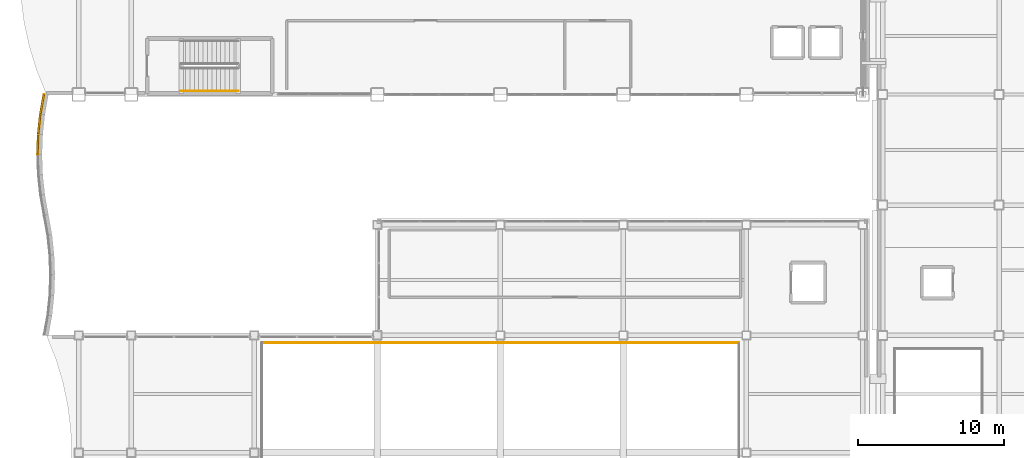
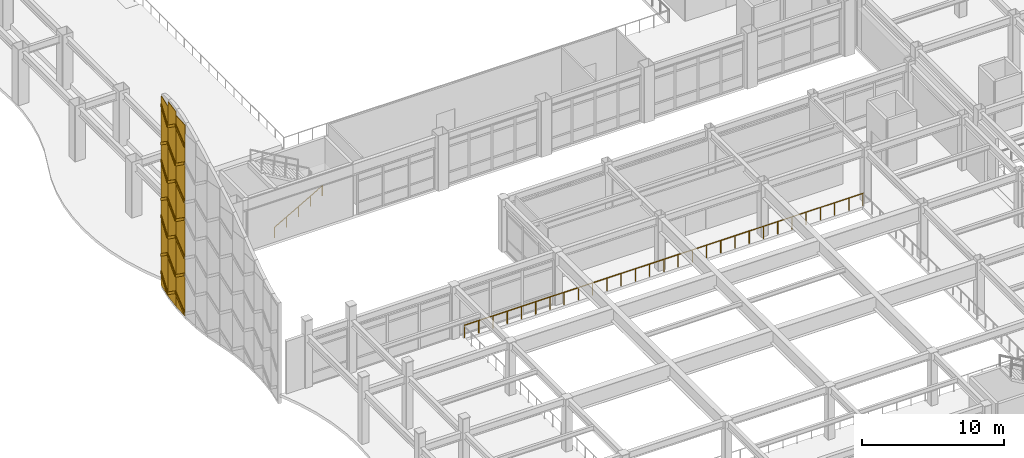
# One storey, part 157 of 172: 24 coverings, 2 railings.
"""IFC4 building model written with IfcOpenShell, lengths in metres."""

from ifc_helpers import new_model, si_unit, direction, frame, origin, origin_2d, place, context, subcontext, project, spatial, polyline, rectangle, circle, outline, extrude, material, layer, layer_set, type_object, element, save


model = new_model("IFC4")

# Units and contexts
model_context = context("Model", 3, precision=1e-05, world=origin(), true_north=direction((0.0, 1.0)))
body_context = subcontext(model_context, "Body", "Model", "MODEL_VIEW")
ifc_project = project(units=[si_unit("LENGTHUNIT", "METRE"), si_unit("AREAUNIT", "SQUARE_METRE"), si_unit("VOLUMEUNIT", "CUBIC_METRE"), si_unit("PLANEANGLEUNIT", "RADIAN"), si_unit("MASSUNIT", "GRAM", prefix="KILO")], contexts=[model_context])

# Site, building, storey
site_placement = place(None, origin())
site = spatial("IfcSite", under=ifc_project, at=site_placement, CompositionType="ELEMENT")
building_placement = place(site_placement, origin())
building = spatial("IfcBuilding", under=site, at=building_placement, Name="Kazehara Bluff Congress Hotel", CompositionType="ELEMENT")
storey_placement = place(building_placement, frame((0.0, 0.0, 5.39990234375)))
storey = spatial("IfcBuildingStorey", under=building, at=storey_placement, Name="L01", CompositionType="ELEMENT", Elevation=5.39990234375)

# Coverings
ifc_material_1 = material(Name="Basalt stone-grey chevron ceramic tile", Category="masonry")
ifc_layer_1 = layer(ifc_material_1, 0.1201171875)
ifc_layer_set_1 = layer_set([ifc_layer_1], Name="Basalt stone-grey chevron ceramic tile")
covering_type_1 = type_object("IfcCoveringType", Name="TP-CHV-RIB", PredefinedType="CLADDING", material=ifc_layer_set_1)
covering_1_placement = place(storey_placement, frame((1.985107421875, 44.344970703125, -0.39990234375), z_axis=(0.0, 0.0, 1.0), x_axis=(0.036326684517, 0.999339968175, 0.0)))
element("IfcCovering", 1, at=covering_1_placement, inside=storey, type_object=covering_type_1, Name="Chevron stone-grey tile rib WR-BRG-10-1", PredefinedType="CLADDING", context=body_context, shape_type="SweptSolid", body=[
    extrude(outline(polyline([(0.0400390625, 0.0), (1.330078125, 0.929931640625), (1.330078125, 1.169921875), (0.0400390625, 0.239990234375), (0.0400390625, 0.0)])), frame((0.0, 0.06005859375, 0.0), z_axis=(0.0, -1.0, 0.0), x_axis=(1.0, 0.0, 0.0)), (0.0, 0.0, 1.0), 0.1201171875),
])
covering_2_placement = place(storey_placement, frame((1.985107421875, 44.344970703125, 2.0), z_axis=(0.0, 0.0, 1.0), x_axis=(0.036326684517, 0.999339968175, 0.0)))
element("IfcCovering", 2, at=covering_2_placement, inside=storey, type_object=covering_type_1, Name="Chevron stone-grey tile rib WR-BRG-10-2", PredefinedType="CLADDING", context=body_context, shape_type="SweptSolid", body=[
    extrude(outline(polyline([(0.0400390625, 0.93017578125), (1.330078125, 0.0), (1.330078125, 0.239990234375), (0.0400390625, 1.170166015625), (0.0400390625, 0.93017578125)])), frame((0.0, 0.06005859375, 0.0), z_axis=(0.0, -1.0, 0.0), x_axis=(1.0, 0.0, 0.0)), (0.0, 0.0, 1.0), 0.1201171875),
])
covering_3_placement = place(storey_placement, frame((1.985107421875, 44.344970703125, 4.400146484375), z_axis=(0.0, 0.0, 1.0), x_axis=(0.036326684517, 0.999339968175, 0.0)))
element("IfcCovering", 3, at=covering_3_placement, inside=storey, type_object=covering_type_1, Name="Chevron stone-grey tile rib WR-BRG-10-3", PredefinedType="CLADDING", context=body_context, shape_type="SweptSolid", body=[
    extrude(outline(polyline([(0.0400390625, 0.0), (1.330078125, 0.929931640625), (1.330078125, 1.169921875), (0.0400390625, 0.239990234375), (0.0400390625, 0.0)])), frame((0.0, 0.06005859375, 0.0), z_axis=(0.0, -1.0, 0.0), x_axis=(1.0, 0.0, 0.0)), (0.0, 0.0, 1.0), 0.1201171875),
])
covering_4_placement = place(storey_placement, frame((1.985107421875, 44.344970703125, 6.800048828125), z_axis=(0.0, 0.0, 1.0), x_axis=(0.036326684517, 0.999339968175, 0.0)))
element("IfcCovering", 4, at=covering_4_placement, inside=storey, type_object=covering_type_1, Name="Chevron stone-grey tile rib WR-BRG-10-4", PredefinedType="CLADDING", context=body_context, shape_type="SweptSolid", body=[
    extrude(outline(polyline([(0.0400390625, 0.929931640625), (1.330078125, 0.0), (1.330078125, 0.239990234375), (0.0400390625, 1.170166015625), (0.0400390625, 0.929931640625)])), frame((0.0, 0.06005859375, 0.0), z_axis=(0.0, -1.0, 0.0), x_axis=(1.0, 0.0, 0.0)), (0.0, 0.0, 1.0), 0.1201171875),
])
covering_5_placement = place(storey_placement, frame((1.985107421875, 44.344970703125, 9.2001953125), z_axis=(0.0, 0.0, 1.0), x_axis=(0.036326684517, 0.999339968175, 0.0)))
element("IfcCovering", 5, at=covering_5_placement, inside=storey, type_object=covering_type_1, Name="Chevron stone-grey tile rib WR-BRG-10-5", PredefinedType="CLADDING", context=body_context, shape_type="SweptSolid", body=[
    extrude(outline(polyline([(0.0400390625, 0.0), (1.330078125, 0.929931640625), (1.330078125, 1.169921875), (0.0400390625, 0.239990234375), (0.0400390625, 0.0)])), frame((0.0, 0.06005859375, 0.0), z_axis=(0.0, -1.0, 0.0), x_axis=(1.0, 0.0, 0.0)), (0.0, 0.0, 1.0), 0.1201171875),
])
covering_6_placement = place(storey_placement, frame((1.985107421875, 44.344970703125, 11.60009765625), z_axis=(0.0, 0.0, 1.0), x_axis=(0.036326684517, 0.999339968175, 0.0)))
element("IfcCovering", 6, at=covering_6_placement, inside=storey, type_object=covering_type_1, Name="Chevron stone-grey tile rib WR-BRG-10-6", PredefinedType="CLADDING", context=body_context, shape_type="SweptSolid", body=[
    extrude(outline(polyline([(0.0400390625, 0.929931640625), (1.330078125, 0.0), (1.330078125, 0.239990234375), (0.0400390625, 1.169921875), (0.0400390625, 0.929931640625)])), frame((0.0, 0.06005859375, 0.0), z_axis=(0.0, -1.0, 0.0), x_axis=(1.0, 0.0, 0.0)), (0.0, 0.0, 1.0), 0.1201171875),
])
covering_7_placement = place(storey_placement, frame((1.985107421875, 44.344970703125, 14.0), z_axis=(0.0, 0.0, 1.0), x_axis=(0.036326684517, 0.999339968175, 0.0)))
element("IfcCovering", 7, at=covering_7_placement, inside=storey, type_object=covering_type_1, Name="Chevron stone-grey tile rib WR-BRG-10-7", PredefinedType="CLADDING", context=body_context, shape_type="SweptSolid", body=[
    extrude(outline(polyline([(0.0400390625, 0.0), (1.330078125, 0.93017578125), (1.330078125, 1.170166015625), (0.0400390625, 0.239990234375), (0.0400390625, 0.0)])), frame((0.0, 0.06005859375, 0.0), z_axis=(0.0, -1.0, 0.0), x_axis=(1.0, 0.0, 0.0)), (0.0, 0.0, 1.0), 0.1201171875),
])
covering_8_placement = place(storey_placement, frame((2.034912109375, 45.72998046875, -0.39990234375), z_axis=(0.0, 0.0, 1.0), x_axis=(0.10525666125, 0.994445089114, 0.0)))
element("IfcCovering", 8, at=covering_8_placement, inside=storey, type_object=covering_type_1, Name="Chevron stone-grey tile rib WR-BRG-11-1", PredefinedType="CLADDING", context=body_context, shape_type="SweptSolid", body=[
    extrude(outline(polyline([(0.0400390625, 0.93505859375), (1.340087890625, 0.0), (1.340087890625, 0.239990234375), (0.0400390625, 1.175048828125), (0.0400390625, 0.93505859375)])), frame((0.0, 0.06005859375, 0.0), z_axis=(0.0, -1.0, 0.0), x_axis=(1.0, 0.0, 0.0)), (0.0, 0.0, 1.0), 0.1201171875),
])
covering_9_placement = place(storey_placement, frame((2.034912109375, 45.72998046875, 2.0), z_axis=(0.0, 0.0, 1.0), x_axis=(0.10525666125, 0.994445089114, 0.0)))
element("IfcCovering", 9, at=covering_9_placement, inside=storey, type_object=covering_type_1, Name="Chevron stone-grey tile rib WR-BRG-11-2", PredefinedType="CLADDING", context=body_context, shape_type="SweptSolid", body=[
    extrude(outline(polyline([(0.0400390625, 0.0), (1.340087890625, 0.93505859375), (1.340087890625, 1.175048828125), (0.0400390625, 0.239990234375), (0.0400390625, 0.0)])), frame((0.0, 0.06005859375, 0.0), z_axis=(0.0, -1.0, 0.0), x_axis=(1.0, 0.0, 0.0)), (0.0, 0.0, 1.0), 0.1201171875),
])
covering_10_placement = place(storey_placement, frame((2.034912109375, 45.72998046875, 4.400146484375), z_axis=(0.0, 0.0, 1.0), x_axis=(0.10525666125, 0.994445089114, 0.0)))
element("IfcCovering", 10, at=covering_10_placement, inside=storey, type_object=covering_type_1, Name="Chevron stone-grey tile rib WR-BRG-11-3", PredefinedType="CLADDING", context=body_context, shape_type="SweptSolid", body=[
    extrude(outline(polyline([(0.0400390625, 0.93505859375), (1.340087890625, 0.0), (1.340087890625, 0.239990234375), (0.0400390625, 1.175048828125), (0.0400390625, 0.93505859375)])), frame((0.0, 0.06005859375, 0.0), z_axis=(0.0, -1.0, 0.0), x_axis=(1.0, 0.0, 0.0)), (0.0, 0.0, 1.0), 0.1201171875),
])
covering_11_placement = place(storey_placement, frame((2.034912109375, 45.72998046875, 6.800048828125), z_axis=(0.0, 0.0, 1.0), x_axis=(0.10525666125, 0.994445089114, 0.0)))
element("IfcCovering", 11, at=covering_11_placement, inside=storey, type_object=covering_type_1, Name="Chevron stone-grey tile rib WR-BRG-11-4", PredefinedType="CLADDING", context=body_context, shape_type="SweptSolid", body=[
    extrude(outline(polyline([(0.0400390625, 0.0), (1.340087890625, 0.93505859375), (1.340087890625, 1.175048828125), (0.0400390625, 0.239990234375), (0.0400390625, 0.0)])), frame((0.0, 0.06005859375, 0.0), z_axis=(0.0, -1.0, 0.0), x_axis=(1.0, 0.0, 0.0)), (0.0, 0.0, 1.0), 0.1201171875),
])
covering_12_placement = place(storey_placement, frame((2.034912109375, 45.72998046875, 9.2001953125), z_axis=(0.0, 0.0, 1.0), x_axis=(0.10525666125, 0.994445089114, 0.0)))
element("IfcCovering", 12, at=covering_12_placement, inside=storey, type_object=covering_type_1, Name="Chevron stone-grey tile rib WR-BRG-11-5", PredefinedType="CLADDING", context=body_context, shape_type="SweptSolid", body=[
    extrude(outline(polyline([(0.0400390625, 0.934814453125), (1.340087890625, 0.0), (1.340087890625, 0.239990234375), (0.0400390625, 1.1748046875), (0.0400390625, 0.934814453125)])), frame((0.0, 0.06005859375, 0.0), z_axis=(0.0, -1.0, 0.0), x_axis=(1.0, 0.0, 0.0)), (0.0, 0.0, 1.0), 0.1201171875),
])
covering_13_placement = place(storey_placement, frame((2.034912109375, 45.72998046875, 11.60009765625), z_axis=(0.0, 0.0, 1.0), x_axis=(0.10525666125, 0.994445089114, 0.0)))
element("IfcCovering", 13, at=covering_13_placement, inside=storey, type_object=covering_type_1, Name="Chevron stone-grey tile rib WR-BRG-11-6", PredefinedType="CLADDING", context=body_context, shape_type="SweptSolid", body=[
    extrude(outline(polyline([(0.0400390625, 0.0), (1.340087890625, 0.93505859375), (1.340087890625, 1.175048828125), (0.0400390625, 0.239990234375), (0.0400390625, 0.0)])), frame((0.0, 0.06005859375, 0.0), z_axis=(0.0, -1.0, 0.0), x_axis=(1.0, 0.0, 0.0)), (0.0, 0.0, 1.0), 0.1201171875),
])
covering_14_placement = place(storey_placement, frame((2.034912109375, 45.72998046875, 14.0), z_axis=(0.0, 0.0, 1.0), x_axis=(0.10525666125, 0.994445089114, 0.0)))
element("IfcCovering", 14, at=covering_14_placement, inside=storey, type_object=covering_type_1, Name="Chevron stone-grey tile rib WR-BRG-11-7", PredefinedType="CLADDING", context=body_context, shape_type="SweptSolid", body=[
    extrude(outline(polyline([(0.0400390625, 0.93505859375), (1.340087890625, 0.0), (1.340087890625, 0.239990234375), (0.0400390625, 1.175048828125), (0.0400390625, 0.93505859375)])), frame((0.0, 0.06005859375, 0.0), z_axis=(0.0, -1.0, 0.0), x_axis=(1.0, 0.0, 0.0)), (0.0, 0.0, 1.0), 0.1201171875),
])
covering_15_placement = place(storey_placement, frame((2.18505859375, 47.110107421875, -0.39990234375), z_axis=(0.0, 0.0, 1.0), x_axis=(0.175966726659, 0.98439611494, 0.0)))
element("IfcCovering", 15, at=covering_15_placement, inside=storey, type_object=covering_type_1, Name="Chevron stone-grey tile rib WR-BRG-12-1", PredefinedType="CLADDING", context=body_context, shape_type="SweptSolid", body=[
    extrude(outline(polyline([(0.0400390625, 0.0), (1.35009765625, 0.945068359375), (1.35009765625, 1.18505859375), (0.0400390625, 0.239990234375), (0.0400390625, 0.0)])), frame((0.0, 0.06005859375, 0.0), z_axis=(0.0, -1.0, 0.0), x_axis=(1.0, 0.0, 0.0)), (0.0, 0.0, 1.0), 0.1201171875),
])
covering_16_placement = place(storey_placement, frame((2.18505859375, 47.110107421875, 2.0), z_axis=(0.0, 0.0, 1.0), x_axis=(0.175966726659, 0.98439611494, 0.0)))
element("IfcCovering", 16, at=covering_16_placement, inside=storey, type_object=covering_type_1, Name="Chevron stone-grey tile rib WR-BRG-12-2", PredefinedType="CLADDING", context=body_context, shape_type="SweptSolid", body=[
    extrude(outline(polyline([(0.0400390625, 0.945068359375), (1.35009765625, 0.0), (1.35009765625, 0.239990234375), (0.0400390625, 1.18505859375), (0.0400390625, 0.945068359375)])), frame((0.0, 0.06005859375, 0.0), z_axis=(0.0, -1.0, 0.0), x_axis=(1.0, 0.0, 0.0)), (0.0, 0.0, 1.0), 0.1201171875),
])
covering_17_placement = place(storey_placement, frame((2.18505859375, 47.110107421875, 4.400146484375), z_axis=(0.0, 0.0, 1.0), x_axis=(0.175966726659, 0.98439611494, 0.0)))
element("IfcCovering", 17, at=covering_17_placement, inside=storey, type_object=covering_type_1, Name="Chevron stone-grey tile rib WR-BRG-12-3", PredefinedType="CLADDING", context=body_context, shape_type="SweptSolid", body=[
    extrude(outline(polyline([(0.0400390625, 0.0), (1.35009765625, 0.945068359375), (1.35009765625, 1.18505859375), (0.0400390625, 0.239990234375), (0.0400390625, 0.0)])), frame((0.0, 0.06005859375, 0.0), z_axis=(0.0, -1.0, 0.0), x_axis=(1.0, 0.0, 0.0)), (0.0, 0.0, 1.0), 0.1201171875),
])
covering_18_placement = place(storey_placement, frame((2.18505859375, 47.110107421875, 6.800048828125), z_axis=(0.0, 0.0, 1.0), x_axis=(0.175966726659, 0.98439611494, 0.0)))
element("IfcCovering", 18, at=covering_18_placement, inside=storey, type_object=covering_type_1, Name="Chevron stone-grey tile rib WR-BRG-12-4", PredefinedType="CLADDING", context=body_context, shape_type="SweptSolid", body=[
    extrude(outline(polyline([(0.0400390625, 0.945068359375), (1.35009765625, 0.0), (1.35009765625, 0.239990234375), (0.0400390625, 1.18505859375), (0.0400390625, 0.945068359375)])), frame((0.0, 0.06005859375, 0.0), z_axis=(0.0, -1.0, 0.0), x_axis=(1.0, 0.0, 0.0)), (0.0, 0.0, 1.0), 0.1201171875),
])
covering_19_placement = place(storey_placement, frame((2.18505859375, 47.110107421875, 9.2001953125), z_axis=(0.0, 0.0, 1.0), x_axis=(0.175966726659, 0.98439611494, 0.0)))
element("IfcCovering", 19, at=covering_19_placement, inside=storey, type_object=covering_type_1, Name="Chevron stone-grey tile rib WR-BRG-12-5", PredefinedType="CLADDING", context=body_context, shape_type="SweptSolid", body=[
    extrude(outline(polyline([(0.0400390625, 0.0), (1.35009765625, 0.94482421875), (1.35009765625, 1.184814453125), (0.0400390625, 0.239990234375), (0.0400390625, 0.0)])), frame((0.0, 0.06005859375, 0.0), z_axis=(0.0, -1.0, 0.0), x_axis=(1.0, 0.0, 0.0)), (0.0, 0.0, 1.0), 0.1201171875),
])
covering_20_placement = place(storey_placement, frame((2.18505859375, 47.110107421875, 11.60009765625), z_axis=(0.0, 0.0, 1.0), x_axis=(0.175966726659, 0.98439611494, 0.0)))
element("IfcCovering", 20, at=covering_20_placement, inside=storey, type_object=covering_type_1, Name="Chevron stone-grey tile rib WR-BRG-12-6", PredefinedType="CLADDING", context=body_context, shape_type="SweptSolid", body=[
    extrude(outline(polyline([(0.0400390625, 0.945068359375), (1.35009765625, 0.0), (1.35009765625, 0.239990234375), (0.0400390625, 1.18505859375), (0.0400390625, 0.945068359375)])), frame((0.0, 0.06005859375, 0.0), z_axis=(0.0, -1.0, 0.0), x_axis=(1.0, 0.0, 0.0)), (0.0, 0.0, 1.0), 0.1201171875),
])
covering_21_placement = place(storey_placement, frame((2.18505859375, 47.110107421875, 14.0), z_axis=(0.0, 0.0, 1.0), x_axis=(0.175966726659, 0.98439611494, 0.0)))
element("IfcCovering", 21, at=covering_21_placement, inside=storey, type_object=covering_type_1, Name="Chevron stone-grey tile rib WR-BRG-12-7", PredefinedType="CLADDING", context=body_context, shape_type="SweptSolid", body=[
    extrude(outline(polyline([(0.0400390625, 0.0), (1.35009765625, 0.945068359375), (1.35009765625, 1.18505859375), (0.0400390625, 0.239990234375), (0.0400390625, 0.0)])), frame((0.0, 0.06005859375, 0.0), z_axis=(0.0, -1.0, 0.0), x_axis=(1.0, 0.0, 0.0)), (0.0, 0.0, 1.0), 0.1201171875),
])
ifc_material_2 = material(Name="Stone-grey ceramic rainscreen", Category="masonry")
ifc_layer_2 = layer(ifc_material_2, 0.044921875)
ifc_layer_set_2 = layer_set([ifc_layer_2], Name="Stone-grey ceramic rainscreen")
covering_type_2 = type_object("IfcCoveringType", Name="TP-CLD-01", PredefinedType="CLADDING", material=ifc_layer_set_2)
covering_22_placement = place(storey_placement, frame((2.034912109375, 45.030029296875, -0.55224609375), z_axis=(0.0, 0.0, 1.0), x_axis=(0.036472780778, 0.999334646784, 0.0)))
element("IfcCovering", 22, at=covering_22_placement, inside=storey, type_object=covering_type_2, Name="Chevron stone-grey ceramic cladding WR-BRG-10", PredefinedType="CLADDING", context=body_context, shape_type="SweptSolid", body=[
    extrude(rectangle(XDim=1.35009765625, YDim=0.044921875, at=origin_2d()), origin(), (0.0, 0.0, 1.0), 16.485107421875),
])
covering_23_placement = place(storey_placement, frame((2.135009765625, 46.409912109375, -0.55224609375), z_axis=(0.0, 0.0, 1.0), x_axis=(0.105252250841, 0.994445555922, 0.0)))
element("IfcCovering", 23, at=covering_23_placement, inside=storey, type_object=covering_type_2, Name="Chevron stone-grey ceramic cladding WR-BRG-11", PredefinedType="CLADDING", context=body_context, shape_type="SweptSolid", body=[
    extrude(rectangle(XDim=1.360107421875, YDim=0.044921875, at=origin_2d()), origin(), (0.0, 0.0, 1.0), 16.794921875),
])
covering_24_placement = place(storey_placement, frame((2.330078125, 47.7900390625, -0.55224609375), z_axis=(0.0, 0.0, 1.0), x_axis=(0.176038533545, 0.984383276324, 0.0)))
element("IfcCovering", 24, at=covering_24_placement, inside=storey, type_object=covering_type_2, Name="Chevron stone-grey ceramic cladding WR-BRG-12", PredefinedType="CLADDING", context=body_context, shape_type="SweptSolid", body=[
    extrude(rectangle(XDim=1.3701171875, YDim=0.044921875, at=origin_2d()), origin(), (0.0, 0.0, 1.0), 16.364990234375),
])

# Railings
ifc_material_3 = material(Name="Brushed stainless steel", Category="steel")
railing_type_1 = type_object("IfcRailingType", Name="TP-GRD-INT", PredefinedType="GUARDRAIL", material=ifc_material_3)
railing_1_placement = place(storey_placement, frame((49.89990234375, 31.5, 0.0)))
element("IfcRailing", 25, at=railing_1_placement, inside=storey, type_object=railing_type_1, Name="L01 V2-VOID void guardrail N", PredefinedType="GUARDRAIL", context=body_context, shape_type="SweptSolid", body=[
    extrude(circle(Radius=0.02392578125, at=origin_2d()), frame((0.0, 0.0, 1.076171875), z_axis=(-1.0, 0.0, 0.0), x_axis=(0.0, -1.0, 0.0)), (0.0, 0.0, 1.0), 32.52001953125),
    extrude(circle(Radius=0.02099609375, at=origin_2d()), origin(), (0.0, 0.0, 1.0), 1.052001953125),
    extrude(circle(Radius=0.02099609375, at=origin_2d()), frame((-1.161376953125, 0.0, 0.0)), (0.0, 0.0, 1.0), 1.052001953125),
    extrude(circle(Radius=0.02099609375, at=origin_2d()), frame((-2.32275390625, 0.0, 0.0)), (0.0, 0.0, 1.0), 1.052001953125),
    extrude(circle(Radius=0.02099609375, at=origin_2d()), frame((-3.484375, 0.0, 0.0)), (0.0, 0.0, 1.0), 1.052001953125),
    extrude(circle(Radius=0.02099609375, at=origin_2d()), frame((-4.645751953125, 0.0, 0.0)), (0.0, 0.0, 1.0), 1.052001953125),
    extrude(circle(Radius=0.02099609375, at=origin_2d()), frame((-5.80712890625, 0.0, 0.0)), (0.0, 0.0, 1.0), 1.052001953125),
    extrude(circle(Radius=0.02099609375, at=origin_2d()), frame((-6.968505859375, 0.0, 0.0)), (0.0, 0.0, 1.0), 1.052001953125),
    extrude(circle(Radius=0.02099609375, at=origin_2d()), frame((-8.1298828125, 0.0, 0.0)), (0.0, 0.0, 1.0), 1.052001953125),
    extrude(circle(Radius=0.02099609375, at=origin_2d()), frame((-9.29150390625, 0.0, 0.0)), (0.0, 0.0, 1.0), 1.052001953125),
    extrude(circle(Radius=0.02099609375, at=origin_2d()), frame((-10.452880859375, 0.0, 0.0)), (0.0, 0.0, 1.0), 1.052001953125),
    extrude(circle(Radius=0.02099609375, at=origin_2d()), frame((-11.6142578125, 0.0, 0.0)), (0.0, 0.0, 1.0), 1.052001953125),
    extrude(circle(Radius=0.02099609375, at=origin_2d()), frame((-12.775634765625, 0.0, 0.0)), (0.0, 0.0, 1.0), 1.052001953125),
    extrude(circle(Radius=0.02099609375, at=origin_2d()), frame((-13.937255859375, 0.0, 0.0)), (0.0, 0.0, 1.0), 1.052001953125),
    extrude(circle(Radius=0.02099609375, at=origin_2d()), frame((-15.0986328125, 0.0, 0.0)), (0.0, 0.0, 1.0), 1.052001953125),
    extrude(circle(Radius=0.02099609375, at=origin_2d()), frame((-16.260009765625, 0.0, 0.0)), (0.0, 0.0, 1.0), 1.052001953125),
    extrude(circle(Radius=0.02099609375, at=origin_2d()), frame((-17.42138671875, 0.0, 0.0)), (0.0, 0.0, 1.0), 1.052001953125),
    extrude(circle(Radius=0.02099609375, at=origin_2d()), frame((-18.582763671875, 0.0, 0.0)), (0.0, 0.0, 1.0), 1.052001953125),
    extrude(circle(Radius=0.02099609375, at=origin_2d()), frame((-19.744384765625, 0.0, 0.0)), (0.0, 0.0, 1.0), 1.052001953125),
    extrude(circle(Radius=0.02099609375, at=origin_2d()), frame((-20.90576171875, 0.0, 0.0)), (0.0, 0.0, 1.0), 1.052001953125),
    extrude(circle(Radius=0.02099609375, at=origin_2d()), frame((-22.067138671875, 0.0, 0.0)), (0.0, 0.0, 1.0), 1.052001953125),
    extrude(circle(Radius=0.02099609375, at=origin_2d()), frame((-23.228515625, 0.0, 0.0)), (0.0, 0.0, 1.0), 1.052001953125),
    extrude(circle(Radius=0.02099609375, at=origin_2d()), frame((-24.39013671875, 0.0, 0.0)), (0.0, 0.0, 1.0), 1.052001953125),
    extrude(circle(Radius=0.02099609375, at=origin_2d()), frame((-25.551513671875, 0.0, 0.0)), (0.0, 0.0, 1.0), 1.052001953125),
    extrude(circle(Radius=0.02099609375, at=origin_2d()), frame((-26.712890625, 0.0, 0.0)), (0.0, 0.0, 1.0), 1.052001953125),
    extrude(circle(Radius=0.02099609375, at=origin_2d()), frame((-27.874267578125, 0.0, 0.0)), (0.0, 0.0, 1.0), 1.052001953125),
    extrude(circle(Radius=0.02099609375, at=origin_2d()), frame((-29.03564453125, 0.0, 0.0)), (0.0, 0.0, 1.0), 1.052001953125),
    extrude(circle(Radius=0.02099609375, at=origin_2d()), frame((-30.197265625, 0.0, 0.0)), (0.0, 0.0, 1.0), 1.052001953125),
    extrude(circle(Radius=0.02099609375, at=origin_2d()), frame((-31.358642578125, 0.0, 0.0)), (0.0, 0.0, 1.0), 1.052001953125),
    extrude(circle(Radius=0.02099609375, at=origin_2d()), frame((-32.52001953125, 0.0, 0.0)), (0.0, 0.0, 1.0), 1.052001953125),
])
ifc_material_4 = material(Name="Brushed stainless steel", Category="steel")
railing_type_2 = type_object("IfcRailingType", Name="TP-HR-INT", PredefinedType="HANDRAIL", material=ifc_material_4)
railing_2_placement = place(storey_placement, frame((11.800048828125, 48.699951171875, 0.171630859375)))
element("IfcRailing", 26, at=railing_2_placement, inside=storey, type_object=railing_type_2, Name="L01 ST-03 stair handrail 1", PredefinedType="HANDRAIL", context=body_context, shape_type="SweptSolid", body=[
    extrude(circle(Radius=0.02392578125, at=origin_2d()), frame((0.0, 0.0, 0.8759765625), z_axis=(0.868243142124, 0.0, 0.496138938357), x_axis=(0.0, 1.0, 0.0)), (0.0, 0.0, 1.0), 4.49169921875),
    extrude(circle(Radius=0.02099609375, at=origin_2d()), origin(), (0.0, 0.0, 1.0), 0.851806640625),
    extrude(circle(Radius=0.02099609375, at=origin_2d()), frame((0.97509765625, 0.0, 0.55712890625)), (0.0, 0.0, 1.0), 0.851806640625),
    extrude(circle(Radius=0.02099609375, at=origin_2d()), frame((1.949951171875, 0.0, 1.1142578125)), (0.0, 0.0, 1.0), 0.851806640625),
    extrude(circle(Radius=0.02099609375, at=origin_2d()), frame((2.9248046875, 0.0, 1.67138671875)), (0.0, 0.0, 1.0), 0.851806640625),
    extrude(circle(Radius=0.02099609375, at=origin_2d()), frame((3.89990234375, 0.0, 2.228515625)), (0.0, 0.0, 1.0), 0.851806640625),
])

save(model, "model.ifc")
